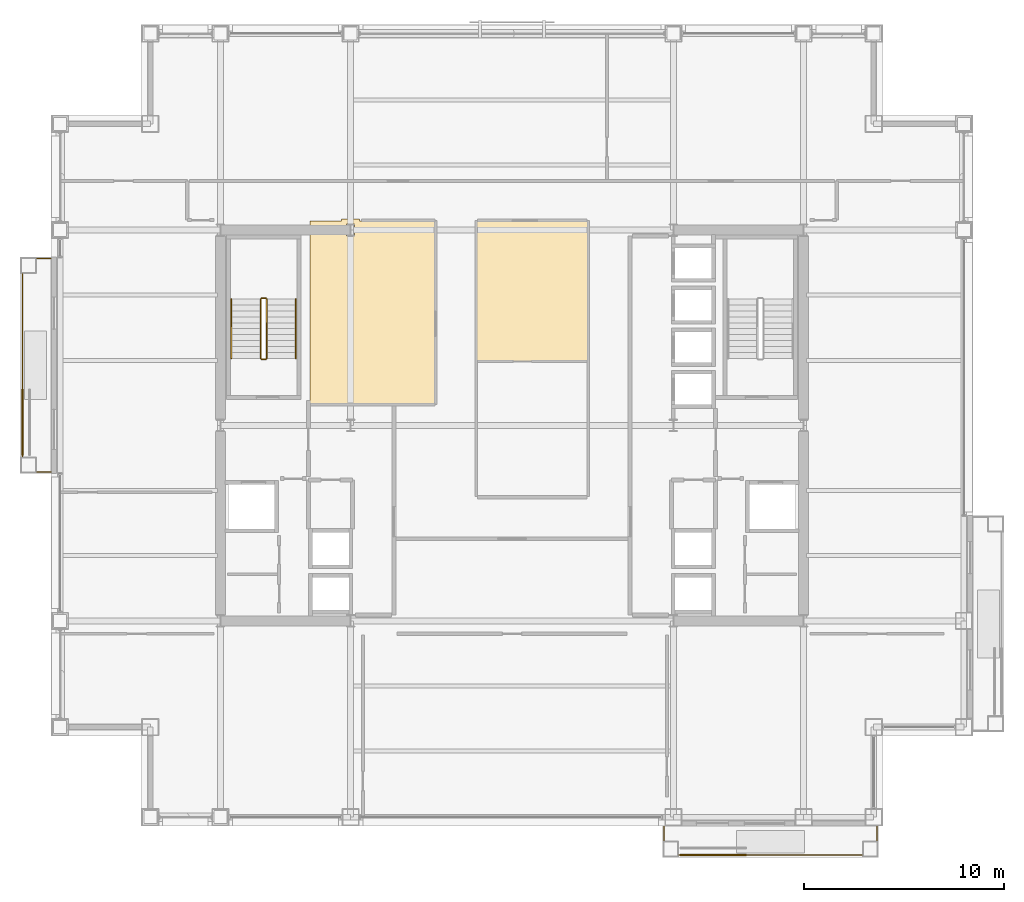
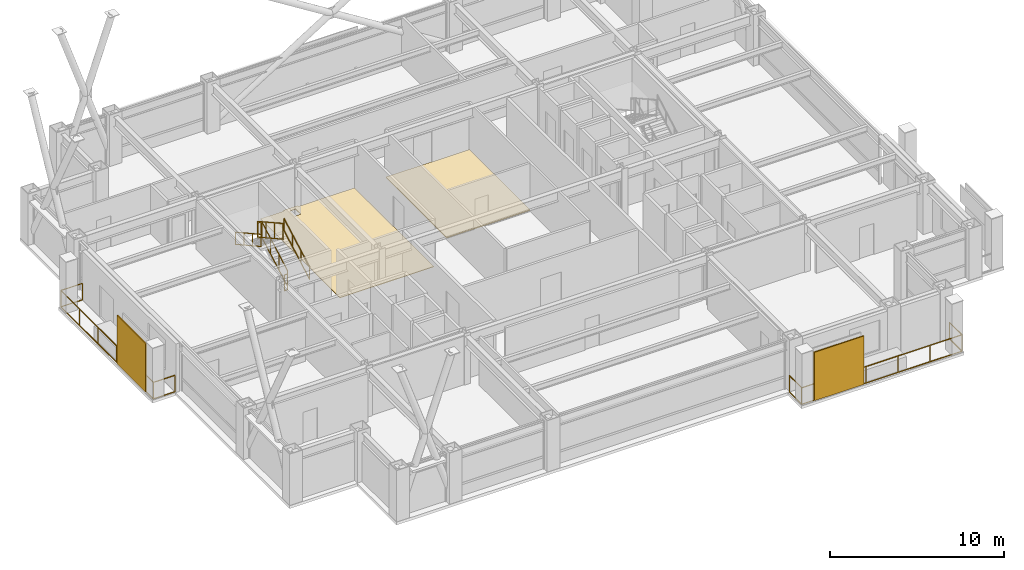
# One storey, part 32 of 34: 8 railings, 2 coverings, 2 shading devices.
"""IFC4 building model written with IfcOpenShell, lengths in metres."""

from ifc_helpers import new_model, si_unit, direction, frame, origin, origin_2d, place, context, subcontext, project, spatial, polyline, rectangle, outline, extrude, material, layer, layer_set, type_object, element, save


model = new_model("IFC4")

# Units and contexts
model_context = context("Model", 3, precision=1e-05, world=origin(), true_north=direction((0.0, 1.0)))
body_context = subcontext(model_context, "Body", "Model", "MODEL_VIEW")
ifc_project = project(units=[si_unit("LENGTHUNIT", "METRE"), si_unit("AREAUNIT", "SQUARE_METRE"), si_unit("VOLUMEUNIT", "CUBIC_METRE"), si_unit("PLANEANGLEUNIT", "RADIAN"), si_unit("MASSUNIT", "GRAM", prefix="KILO")], contexts=[model_context])

# Site, building, storey
site_placement = place(None, origin())
site = spatial("IfcSite", under=ifc_project, at=site_placement, CompositionType="ELEMENT")
building_placement = place(site_placement, origin())
building = spatial("IfcBuilding", under=site, at=building_placement, Name="Brelmoor Portico Tower", CompositionType="ELEMENT")
storey_placement = place(building_placement, frame((0.0, 0.0, 99.0)))
storey = spatial("IfcBuildingStorey", under=building, at=storey_placement, Name="L25", CompositionType="ELEMENT", Elevation=99.0)

# Coverings
ifc_material_1 = material(Name="Calcium-Sulphate Raised Access Floor Panel", Category="steel")
ifc_layer_1 = layer(ifc_material_1, 0.06005859375)
ifc_layer_set_1 = layer_set([ifc_layer_1], Name="Calcium-Sulphate Raised Access Floor Panel")
covering_type_1 = type_object("IfcCoveringType", Name="CV-FLR-ACCESS-60", PredefinedType="FLOORING", material=ifc_layer_set_1)
covering_1_placement = place(storey_placement, origin())
element("IfcCovering", 1, at=covering_1_placement, inside=storey, type_object=covering_type_1, Name="L25 Architectural Floor Finish 02", PredefinedType="FLOORING", context=body_context, shape_type="SweptSolid", body=[
    extrude(outline(polyline([(-1.760009765625, 3.219970703125), (-1.760009765625, 10.2099609375), (3.780029296875, 10.2099609375), (3.780029296875, 3.219970703125), (-1.760009765625, 3.219970703125)])), origin(), (0.0, 0.0, 1.0), 0.06005859375),
])
ifc_material_2 = material(Name="Honed Pearl-Grey Granite Paver Finish", Category="masonry")
ifc_layer_2 = layer(ifc_material_2, 0.0380859375)
ifc_layer_set_2 = layer_set([ifc_layer_2], Name="Honed Pearl-Grey Granite Paver Finish")
covering_type_2 = type_object("IfcCoveringType", Name="CV-FLR-GRANITE-38", PredefinedType="FLOORING", material=ifc_layer_set_2)
covering_2_placement = place(storey_placement, origin())
element("IfcCovering", 2, at=covering_2_placement, inside=storey, type_object=covering_type_2, Name="L25 Architectural Floor Finish 01", PredefinedType="FLOORING", context=body_context, shape_type="SweptSolid", body=[
    extrude(outline(polyline([(-10.080078125, 10.2099609375), (-8.5, 10.2099609375), (-8.5, 10.300048828125), (-7.60009765625, 10.300048828125), (-7.60009765625, 10.2099609375), (-3.840087890625, 10.2099609375), (-3.840087890625, 1.090087890625), (-10.080078125, 1.090087890625), (-10.080078125, 10.2099609375)]), holes=[polyline([(-7.85009765625, 9.449951171875), (-7.85009765625, 10.050048828125), (-8.25, 10.050048828125), (-8.25, 9.449951171875), (-7.85009765625, 9.449951171875)])]), origin(), (0.0, 0.0, 1.0), 0.0380859375),
])

# Railings
ifc_material_3 = material(Name="Perforated Pale Champagne Aluminium Fretwork Guard", Category="aluminium")
railing_type_1 = type_object("IfcRailingType", Name="RL-BALUSTRADE-1200", PredefinedType="BALUSTRADE", material=ifc_material_3)
railing_1_placement = place(storey_placement, frame((7.580078125, -20.0, 0.0)))
element("IfcRailing", 3, at=railing_1_placement, inside=storey, type_object=railing_type_1, Name="L25 Tree Balcony Fretwork Balustrade S", PredefinedType="BALUSTRADE", context=body_context, shape_type="SweptSolid", body=[
    extrude(rectangle(XDim=0.048095703125, YDim=0.048095703125, at=origin_2d()), frame((0.0, 0.0, 1.17578125), z_axis=(0.0, -1.0, 0.0), x_axis=(1.0, 0.0, 0.0)), (0.0, 0.0, 1.0), 1.429931640625),
    extrude(rectangle(XDim=0.048095703125, YDim=0.048095703125, at=origin_2d()), frame((0.0, 0.0, 0.02392578125), z_axis=(0.0, -1.0, 0.0), x_axis=(1.0, 0.0, 0.0)), (0.0, 0.0, 1.0), 1.429931640625),
    extrude(rectangle(XDim=0.048095703125, YDim=0.048095703125, at=origin_2d()), frame((0.0, -1.429931640625, 1.17578125), z_axis=(1.0, 0.0, 0.0), x_axis=(0.0, 1.0, 0.0)), (0.0, 0.0, 1.0), 10.639892578125),
    extrude(rectangle(XDim=0.048095703125, YDim=0.048095703125, at=origin_2d()), frame((0.0, -1.429931640625, 0.02392578125), z_axis=(1.0, 0.0, 0.0), x_axis=(0.0, 1.0, 0.0)), (0.0, 0.0, 1.0), 10.639892578125),
    extrude(rectangle(XDim=0.048095703125, YDim=0.048095703125, at=origin_2d()), frame((10.639892578125, -1.429931640625, 1.17578125), z_axis=(0.0, 1.0, 0.0), x_axis=(-1.0, 0.0, 0.0)), (0.0, 0.0, 1.0), 1.429931640625),
    extrude(rectangle(XDim=0.048095703125, YDim=0.048095703125, at=origin_2d()), frame((10.639892578125, -1.429931640625, 0.02392578125), z_axis=(0.0, 1.0, 0.0), x_axis=(-1.0, 0.0, 0.0)), (0.0, 0.0, 1.0), 1.429931640625),
    extrude(rectangle(XDim=0.0419921875, YDim=0.0419921875, at=origin_2d()), origin(), (0.0, 0.0, 1.0), 1.15185546875),
    extrude(rectangle(XDim=0.0419921875, YDim=0.0419921875, at=origin_2d()), frame((0.0, -1.429931640625, 0.0)), (0.0, 0.0, 1.0), 1.15185546875),
    extrude(rectangle(XDim=0.0419921875, YDim=0.0419921875, at=origin_2d()), frame((2.1279296875, -1.429931640625, 0.0)), (0.0, 0.0, 1.0), 1.15185546875),
    extrude(rectangle(XDim=0.0419921875, YDim=0.0419921875, at=origin_2d()), frame((4.255859375, -1.429931640625, 0.0)), (0.0, 0.0, 1.0), 1.15185546875),
    extrude(rectangle(XDim=0.0419921875, YDim=0.0419921875, at=origin_2d()), frame((6.384033203125, -1.429931640625, 0.0)), (0.0, 0.0, 1.0), 1.15185546875),
    extrude(rectangle(XDim=0.0419921875, YDim=0.0419921875, at=origin_2d()), frame((8.511962890625, -1.429931640625, 0.0)), (0.0, 0.0, 1.0), 1.15185546875),
    extrude(rectangle(XDim=0.0419921875, YDim=0.0419921875, at=origin_2d()), frame((10.639892578125, -1.429931640625, 0.0)), (0.0, 0.0, 1.0), 1.15185546875),
    extrude(rectangle(XDim=0.0419921875, YDim=0.0419921875, at=origin_2d()), frame((10.639892578125, 0.0, 0.0)), (0.0, 0.0, 1.0), 1.15185546875),
])
railing_2_placement = place(storey_placement, frame((-23.0, -2.320068359375, 0.0)))
element("IfcRailing", 4, at=railing_2_placement, inside=storey, type_object=railing_type_1, Name="L25 Tree Balcony Fretwork Balustrade W", PredefinedType="BALUSTRADE", context=body_context, shape_type="SweptSolid", body=[
    extrude(rectangle(XDim=0.048095703125, YDim=0.048095703125, at=origin_2d()), frame((0.0, 0.0, 1.17578125), z_axis=(-1.0, 0.0, 0.0), x_axis=(0.0, -1.0, 0.0)), (0.0, 0.0, 1.0), 1.429931640625),
    extrude(rectangle(XDim=0.048095703125, YDim=0.048095703125, at=origin_2d()), frame((0.0, 0.0, 0.02392578125), z_axis=(-1.0, 0.0, 0.0), x_axis=(0.0, -1.0, 0.0)), (0.0, 0.0, 1.0), 1.429931640625),
    extrude(rectangle(XDim=0.048095703125, YDim=0.048095703125, at=origin_2d()), frame((-1.429931640625, 0.0, 1.17578125), z_axis=(0.0, 1.0, 0.0), x_axis=(-1.0, 0.0, 0.0)), (0.0, 0.0, 1.0), 10.64013671875),
    extrude(rectangle(XDim=0.048095703125, YDim=0.048095703125, at=origin_2d()), frame((-1.429931640625, 0.0, 0.02392578125), z_axis=(0.0, 1.0, 0.0), x_axis=(-1.0, 0.0, 0.0)), (0.0, 0.0, 1.0), 10.64013671875),
    extrude(rectangle(XDim=0.048095703125, YDim=0.048095703125, at=origin_2d()), frame((-1.429931640625, 10.64013671875, 1.17578125), z_axis=(1.0, 0.0, 0.0), x_axis=(0.0, 1.0, 0.0)), (0.0, 0.0, 1.0), 1.429931640625),
    extrude(rectangle(XDim=0.048095703125, YDim=0.048095703125, at=origin_2d()), frame((-1.429931640625, 10.64013671875, 0.02392578125), z_axis=(1.0, 0.0, 0.0), x_axis=(0.0, 1.0, 0.0)), (0.0, 0.0, 1.0), 1.429931640625),
    extrude(rectangle(XDim=0.0419921875, YDim=0.0419921875, at=origin_2d()), origin(), (0.0, 0.0, 1.0), 1.15185546875),
    extrude(rectangle(XDim=0.0419921875, YDim=0.0419921875, at=origin_2d()), frame((-1.429931640625, 0.0, 0.0)), (0.0, 0.0, 1.0), 1.15185546875),
    extrude(rectangle(XDim=0.0419921875, YDim=0.0419921875, at=origin_2d()), frame((-1.429931640625, 2.1279296875, 0.0)), (0.0, 0.0, 1.0), 1.15185546875),
    extrude(rectangle(XDim=0.0419921875, YDim=0.0419921875, at=origin_2d()), frame((-1.429931640625, 4.256103515625, 0.0)), (0.0, 0.0, 1.0), 1.15185546875),
    extrude(rectangle(XDim=0.0419921875, YDim=0.0419921875, at=origin_2d()), frame((-1.429931640625, 6.384033203125, 0.0)), (0.0, 0.0, 1.0), 1.15185546875),
    extrude(rectangle(XDim=0.0419921875, YDim=0.0419921875, at=origin_2d()), frame((-1.429931640625, 8.51220703125, 0.0)), (0.0, 0.0, 1.0), 1.15185546875),
    extrude(rectangle(XDim=0.0419921875, YDim=0.0419921875, at=origin_2d()), frame((-1.429931640625, 10.64013671875, 0.0)), (0.0, 0.0, 1.0), 1.15185546875),
    extrude(rectangle(XDim=0.0419921875, YDim=0.0419921875, at=origin_2d()), frame((0.0, 10.64013671875, 0.0)), (0.0, 0.0, 1.0), 1.15185546875),
])
ifc_material_4 = material(Name="Painted Tubular Steel Q235B", Category="steel")
railing_type_2 = type_object("IfcRailingType", Name="RL-STAIR-GUARD", PredefinedType="GUARDRAIL", material=ifc_material_4)
railing_3_placement = place(storey_placement, frame((-12.239990234375, 3.35009765625, 0.16357421875)))
element("IfcRailing", 5, at=railing_3_placement, inside=storey, type_object=railing_type_2, Name="L25 ST-W stair guard 1", PredefinedType="GUARDRAIL", context=body_context, shape_type="SweptSolid", body=[
    extrude(rectangle(XDim=0.048095703125, YDim=0.048095703125, at=origin_2d()), frame((0.0, 0.0, 1.1259765625), z_axis=(0.0, 0.874457516365, 0.485102104791), x_axis=(-1.0, 0.0, 0.0)), (0.0, 0.0, 1.0), 3.37353515625),
    extrude(rectangle(XDim=0.048095703125, YDim=0.048095703125, at=origin_2d()), frame((0.0, 0.0, 0.02392578125), z_axis=(0.0, 0.874457516365, 0.485102104791), x_axis=(-1.0, 0.0, 0.0)), (0.0, 0.0, 1.0), 3.37353515625),
    extrude(rectangle(XDim=0.0419921875, YDim=0.0419921875, at=origin_2d()), origin(), (0.0, 0.0, 1.0), 1.101806640625),
    extrude(rectangle(XDim=0.0419921875, YDim=0.0419921875, at=origin_2d()), frame((0.0, 0.9833984375, 0.54541015625)), (0.0, 0.0, 1.0), 1.101806640625),
    extrude(rectangle(XDim=0.0419921875, YDim=0.0419921875, at=origin_2d()), frame((0.0, 1.966552734375, 1.091064453125)), (0.0, 0.0, 1.0), 1.101806640625),
    extrude(rectangle(XDim=0.0419921875, YDim=0.0419921875, at=origin_2d()), frame((0.0, 2.949951171875, 1.636474609375)), (0.0, 0.0, 1.0), 1.101806640625),
])
railing_4_placement = place(storey_placement, frame((-12.2900390625, 6.35009765625, 1.800048828125)))
element("IfcRailing", 6, at=railing_4_placement, inside=storey, type_object=railing_type_2, Name="L25 ST-W stair guard 2", PredefinedType="GUARDRAIL", context=body_context, shape_type="SweptSolid", body=[
    extrude(rectangle(XDim=0.048095703125, YDim=0.048095703125, at=origin_2d()), frame((0.0, 0.0, 1.1259765625), z_axis=(-1.0, 0.0, 0.0), x_axis=(0.0, -1.0, 0.0)), (0.0, 0.0, 1.0), 0.199951171875),
    extrude(rectangle(XDim=0.048095703125, YDim=0.048095703125, at=origin_2d()), frame((0.0, 0.0, 0.02392578125), z_axis=(-1.0, 0.0, 0.0), x_axis=(0.0, -1.0, 0.0)), (0.0, 0.0, 1.0), 0.199951171875),
    extrude(rectangle(XDim=0.0419921875, YDim=0.0419921875, at=origin_2d()), origin(), (0.0, 0.0, 1.0), 1.101806640625),
    extrude(rectangle(XDim=0.0419921875, YDim=0.0419921875, at=origin_2d()), frame((-0.199951171875, 0.0, 0.0)), (0.0, 0.0, 1.0), 1.101806640625),
])
railing_5_placement = place(storey_placement, frame((-12.5400390625, 6.300048828125, 1.963623046875)))
element("IfcRailing", 7, at=railing_5_placement, inside=storey, type_object=railing_type_2, Name="L25 ST-W stair guard 3", PredefinedType="GUARDRAIL", context=body_context, shape_type="SweptSolid", body=[
    extrude(rectangle(XDim=0.048095703125, YDim=0.048095703125, at=origin_2d()), frame((0.0, 0.0, 1.1259765625), z_axis=(0.0, -0.874457516365, 0.485102104791), x_axis=(1.0, 0.0, 0.0)), (0.0, 0.0, 1.0), 3.37353515625),
    extrude(rectangle(XDim=0.048095703125, YDim=0.048095703125, at=origin_2d()), frame((0.0, 0.0, 0.02392578125), z_axis=(0.0, -0.874457516365, 0.485102104791), x_axis=(1.0, 0.0, 0.0)), (0.0, 0.0, 1.0), 3.37353515625),
    extrude(rectangle(XDim=0.0419921875, YDim=0.0419921875, at=origin_2d()), origin(), (0.0, 0.0, 1.0), 1.101806640625),
    extrude(rectangle(XDim=0.0419921875, YDim=0.0419921875, at=origin_2d()), frame((0.0, -0.9833984375, 0.54541015625)), (0.0, 0.0, 1.0), 1.101806640625),
    extrude(rectangle(XDim=0.0419921875, YDim=0.0419921875, at=origin_2d()), frame((0.0, -1.966552734375, 1.091064453125)), (0.0, 0.0, 1.0), 1.101806640625),
    extrude(rectangle(XDim=0.0419921875, YDim=0.0419921875, at=origin_2d()), frame((0.0, -2.949951171875, 1.636474609375)), (0.0, 0.0, 1.0), 1.101806640625),
])
railing_6_placement = place(storey_placement, frame((-12.2900390625, 3.300048828125, 0.0)))
element("IfcRailing", 8, at=railing_6_placement, inside=storey, type_object=railing_type_2, Name="L25 ST-W stair guard 4", PredefinedType="GUARDRAIL", context=body_context, shape_type="SweptSolid", body=[
    extrude(rectangle(XDim=0.048095703125, YDim=0.048095703125, at=origin_2d()), frame((0.0, 0.0, 1.1259765625), z_axis=(-1.0, 0.0, 0.0), x_axis=(0.0, -1.0, 0.0)), (0.0, 0.0, 1.0), 0.199951171875),
    extrude(rectangle(XDim=0.048095703125, YDim=0.048095703125, at=origin_2d()), frame((0.0, 0.0, 0.02392578125), z_axis=(-1.0, 0.0, 0.0), x_axis=(0.0, -1.0, 0.0)), (0.0, 0.0, 1.0), 0.199951171875),
    extrude(rectangle(XDim=0.0419921875, YDim=0.0419921875, at=origin_2d()), origin(), (0.0, 0.0, 1.0), 1.101806640625),
    extrude(rectangle(XDim=0.0419921875, YDim=0.0419921875, at=origin_2d()), frame((-0.199951171875, 0.0, 0.0)), (0.0, 0.0, 1.0), 1.101806640625),
])
ifc_material_5 = material(Name="Brushed Stainless Steel 304", Category="steel")
railing_type_3 = type_object("IfcRailingType", Name="RL-STAIR-HANDRAIL", PredefinedType="HANDRAIL", material=ifc_material_5)
railing_7_placement = place(storey_placement, frame((-10.780029296875, 3.35009765625, 0.16357421875)))
element("IfcRailing", 9, at=railing_7_placement, inside=storey, type_object=railing_type_3, Name="L25 ST-W stair handrail 1", PredefinedType="HANDRAIL", context=body_context, shape_type="SweptSolid", body=[
    extrude(rectangle(XDim=0.048095703125, YDim=0.048095703125, at=origin_2d()), frame((0.0, 0.0, 0.8759765625), z_axis=(0.0, 0.874457516365, 0.485102104791), x_axis=(-1.0, 0.0, 0.0)), (0.0, 0.0, 1.0), 3.37353515625),
    extrude(rectangle(XDim=0.048095703125, YDim=0.048095703125, at=origin_2d()), frame((0.0, 0.0, 0.02392578125), z_axis=(0.0, 0.874457516365, 0.485102104791), x_axis=(-1.0, 0.0, 0.0)), (0.0, 0.0, 1.0), 3.37353515625),
    extrude(rectangle(XDim=0.0419921875, YDim=0.0419921875, at=origin_2d()), origin(), (0.0, 0.0, 1.0), 0.851806640625),
    extrude(rectangle(XDim=0.0419921875, YDim=0.0419921875, at=origin_2d()), frame((0.0, 0.9833984375, 0.54541015625)), (0.0, 0.0, 1.0), 0.851806640625),
    extrude(rectangle(XDim=0.0419921875, YDim=0.0419921875, at=origin_2d()), frame((0.0, 1.966552734375, 1.091064453125)), (0.0, 0.0, 1.0), 0.851806640625),
    extrude(rectangle(XDim=0.0419921875, YDim=0.0419921875, at=origin_2d()), frame((0.0, 2.949951171875, 1.636474609375)), (0.0, 0.0, 1.0), 0.851806640625),
])
railing_8_placement = place(storey_placement, frame((-14.0, 6.300048828125, 1.963623046875)))
element("IfcRailing", 10, at=railing_8_placement, inside=storey, type_object=railing_type_3, Name="L25 ST-W stair handrail 2", PredefinedType="HANDRAIL", context=body_context, shape_type="SweptSolid", body=[
    extrude(rectangle(XDim=0.048095703125, YDim=0.048095703125, at=origin_2d()), frame((0.0, 0.0, 0.8759765625), z_axis=(0.0, -0.874457516365, 0.485102104791), x_axis=(1.0, 0.0, 0.0)), (0.0, 0.0, 1.0), 3.37353515625),
    extrude(rectangle(XDim=0.048095703125, YDim=0.048095703125, at=origin_2d()), frame((0.0, 0.0, 0.02392578125), z_axis=(0.0, -0.874457516365, 0.485102104791), x_axis=(1.0, 0.0, 0.0)), (0.0, 0.0, 1.0), 3.37353515625),
    extrude(rectangle(XDim=0.0419921875, YDim=0.0419921875, at=origin_2d()), origin(), (0.0, 0.0, 1.0), 0.851806640625),
    extrude(rectangle(XDim=0.0419921875, YDim=0.0419921875, at=origin_2d()), frame((0.0, -0.9833984375, 0.54541015625)), (0.0, 0.0, 1.0), 0.851806640625),
    extrude(rectangle(XDim=0.0419921875, YDim=0.0419921875, at=origin_2d()), frame((0.0, -1.966552734375, 1.091064453125)), (0.0, 0.0, 1.0), 0.851806640625),
    extrude(rectangle(XDim=0.0419921875, YDim=0.0419921875, at=origin_2d()), frame((0.0, -2.949951171875, 1.636474609375)), (0.0, 0.0, 1.0), 0.851806640625),
])

# Shading devices
ifc_material_6 = material(Name="Powder-Coated Aluminium Shuttered Jalousie", Category="aluminium")
ifc_layer_3 = layer(ifc_material_6, 0.080078125)
ifc_layer_set_3 = layer_set([ifc_layer_3], Name="Powder-Coated Aluminium Shuttered Jalousie")
shading_device_type = type_object("IfcShadingDeviceType", Name="SD-JALOUSIE-LOGGIA", PredefinedType="JALOUSIE", material=ifc_layer_set_3)
for number, where, z_axis, x_axis, name in (
    (11, (10.050048828125, -21.429931640625, 0.0), (0.0, 0.0, 1.0), (1.0, 0.0, 0.0), "L25 Loggia Shuttered Jalousie S"),
    (12, (-24.429931640625, 0.14990234375, 0.0), (0.0, 0.0, 1.0), (0.0, 1.0, 0.0), "L25 Loggia Shuttered Jalousie W"),
):
    element("IfcShadingDevice", number, at=place(storey_placement, frame(where, z_axis=z_axis, x_axis=x_axis)), inside=storey, type_object=shading_device_type, Name=name, PredefinedType="JALOUSIE", context=body_context, shape_type="SweptSolid", body=[
        extrude(rectangle(XDim=3.300048828125, YDim=0.080078125, at=origin_2d()), origin(), (0.0, 0.0, 1.0), 3.39990234375),
    ])

save(model, "model.ifc")
